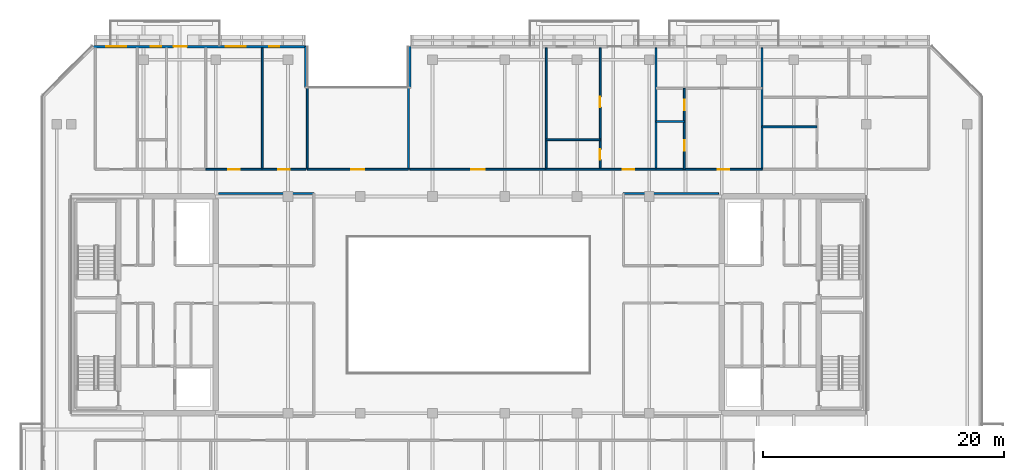
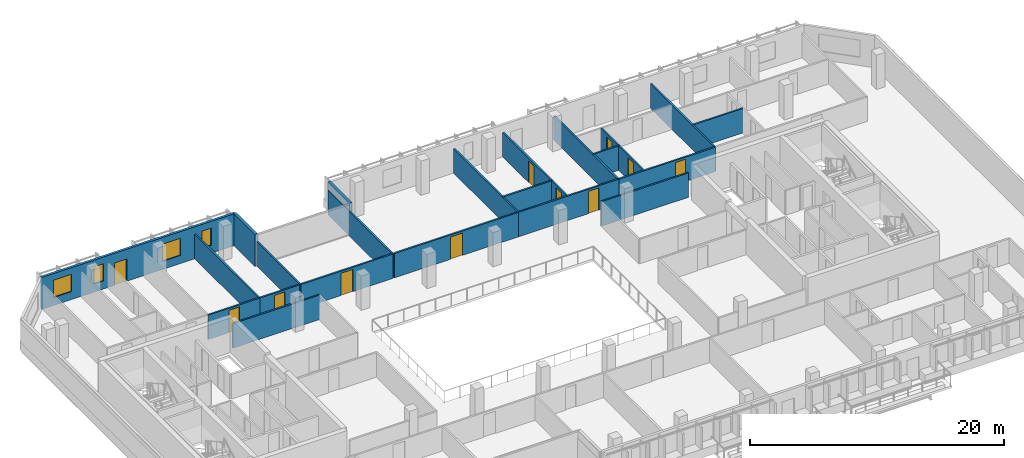
# One storey, part 13 of 22: 22 walls, 11 doors, 4 windows, 15 openings.
"""IFC4 building model written with IfcOpenShell, lengths in metres."""

from ifc_helpers import new_model, si_unit, direction, frame, frame_2d, origin, place, context, subcontext, project, spatial, rectangle, extrude, material, layer, layer_set, type_object, element, fill, save


model = new_model("IFC4")

# Units and contexts
model_context = context("Model", 3, precision=1e-05, world=origin(), true_north=direction((0.0, 1.0)))
body_context = subcontext(model_context, "Body", "Model", "MODEL_VIEW")
ifc_project = project(units=[si_unit("LENGTHUNIT", "METRE"), si_unit("AREAUNIT", "SQUARE_METRE"), si_unit("VOLUMEUNIT", "CUBIC_METRE"), si_unit("PLANEANGLEUNIT", "RADIAN"), si_unit("MASSUNIT", "GRAM", prefix="KILO")], contexts=[model_context])

# Site, building, storey
site_placement = place(None, origin())
site = spatial("IfcSite", under=ifc_project, at=site_placement, CompositionType="ELEMENT")
building_placement = place(site_placement, origin())
building = spatial("IfcBuilding", under=site, at=building_placement, Name="Tanjung Sevakor Pilgrim Tower", CompositionType="ELEMENT")
storey_placement = place(building_placement, frame((0.0, 0.0, 195.030029296875)))
storey = spatial("IfcBuildingStorey", under=building, at=storey_placement, Name="L54", CompositionType="ELEMENT", Elevation=195.030029296875)

# Walls
ifc_material_1 = material(Name="Concrete C40/50", Category="concrete")
ifc_layer_1 = layer(ifc_material_1, 0.14990234375)
ifc_layer_set_1 = layer_set([ifc_layer_1], Name="WT-COMP-150")
wall_type_1 = type_object("IfcWallType", Name="WT-COMP-150", PredefinedType="SOLIDWALL", material=ifc_layer_set_1)
for number, where, z_axis, x_axis, name in (
    (1, (36.2451171875, 42.85009765625, 0.0), (0.0, 0.0, 1.0), (1.0, 0.0, 0.0), "L54 Partition IW-L54-037"),
    (2, (69.85009765625, 42.85009765625, 0.0), (0.0, 0.0, 1.0), (1.0, 0.0, 0.0), "L54 Partition IW-L54-043"),
):
    element("IfcWall", number, at=place(storey_placement, frame(where, z_axis=z_axis, x_axis=x_axis)), inside=storey, type_object=wall_type_1, Name=name, PredefinedType="SOLIDWALL", context=body_context, shape_type="SweptSolid", body=[
        extrude(rectangle(XDim=7.90478515625, YDim=0.14990234375, at=frame_2d((3.952392578125, 0.0))), origin(), (0.0, 0.0, 1.0), 2.35009765625),
    ])

# Wall, opening, door
wall_1_placement = place(storey_placement, frame((43.60009765625, 44.85009765625, 0.0), z_axis=(0.0, 0.0, 1.0), x_axis=(1.0, 0.0, 0.0)))
wall_1 = element("IfcWall", 3, at=wall_1_placement, inside=storey, type_object=wall_type_1, Name="L54 Partition IW-L54-048", PredefinedType="SOLIDWALL", context=body_context, shape_type="SweptSolid", body=[
    extrude(rectangle(XDim=8.39990234375, YDim=0.14990234375, at=frame_2d((4.199951171875, 0.0))), origin(), (0.0, 0.0, 1.0), 2.35009765625),
])
opening_1_placement = place(wall_1_placement, frame((3.64990234375, 0.0, 0.0)))
opening_1 = element("IfcOpeningElement", 4, at=opening_1_placement, cuts=wall_1, Name="Opening ID-RM2", PredefinedType="OPENING", context=body_context, shape_type="SweptSolid", body=[
    extrude(rectangle(XDim=1.10009765625, YDim=2.14990234375, at=frame_2d((0.550048828125, 1.074951171875))), frame((0.0, 0.0849609375, 0.0), z_axis=(0.0, -1.0, 0.0), x_axis=(1.0, 0.0, 0.0)), (0.0, 0.0, 1.0), 0.169921875),
])
ifc_material_2 = material(Name="Hardwood Timber", Category="wood")
door_type_1 = type_object("IfcDoorType", Name="DT-INT-1100", OperationType="NOTDEFINED", PredefinedType="DOOR", material=ifc_material_2)
door_1_placement = place(opening_1_placement, origin())
door_1 = element("IfcDoor", 5, at=door_1_placement, inside=storey, type_object=door_type_1, Name="L54 North Cleft Prayer Room Door", OperationType="SINGLE_SWING_LEFT", OverallHeight=2.14990234375, OverallWidth=1.10009765625, PredefinedType="DOOR", context=body_context, shape_type="SweptSolid", body=[
    extrude(rectangle(XDim=1.10009765625, YDim=2.14990234375, at=frame_2d((0.550048828125, 1.074951171875))), frame((0.0, 0.02490234375, 0.0), z_axis=(0.0, -1.0, 0.0), x_axis=(1.0, 0.0, 0.0)), (0.0, 0.0, 1.0), 0.050048828125),
])
fill(opening_1, door_1)

# Walls
for number, where, z_axis, x_axis, name in (
    (6, (43.60009765625, 44.85009765625, 0.0), (0.0, 0.0, 1.0), (0.0, 1.0, 0.0), "L54 Partition IW-L54-049"),
    (7, (52.0, 44.85009765625, 0.0), (0.0, 0.0, 1.0), (0.0, 1.0, 0.0), "L54 Partition IW-L54-050"),
    (8, (39.861083984375, 44.85009765625, 0.0), (0.0, 0.0, 1.0), (0.0, 1.0, 0.0), "L54 Partition IW-L54-078"),
):
    element("IfcWall", number, at=place(storey_placement, frame(where, z_axis=z_axis, x_axis=x_axis)), inside=storey, type_object=wall_type_1, Name=name, PredefinedType="SOLIDWALL", context=body_context, shape_type="SweptSolid", body=[
        extrude(rectangle(XDim=10.079833984375, YDim=0.14990234375, at=frame_2d((5.0400390625, 0.0))), origin(), (0.0, 0.0, 1.0), 2.35009765625),
    ])

# Wall, opening, door
wall_2_placement = place(storey_placement, frame((35.17626953125, 44.85009765625, 0.0), z_axis=(0.0, 0.0, 1.0), x_axis=(1.0, 0.0, 0.0)))
wall_2 = element("IfcWall", 9, at=wall_2_placement, inside=storey, type_object=wall_type_1, Name="L54 Partition IW-L54-079", PredefinedType="SOLIDWALL", context=body_context, shape_type="SweptSolid", body=[
    extrude(rectangle(XDim=4.684814453125, YDim=0.14990234375, at=frame_2d((2.34228515625, 0.0))), origin(), (0.0, 0.0, 1.0), 2.35009765625),
])
opening_2_placement = place(wall_2_placement, frame((1.867431640625, 0.0, 0.0)))
opening_2 = element("IfcOpeningElement", 10, at=opening_2_placement, cuts=wall_2, Name="Opening ID-FD2", PredefinedType="OPENING", context=body_context, shape_type="SweptSolid", body=[
    extrude(rectangle(XDim=0.949951171875, YDim=2.14990234375, at=frame_2d((0.47509765625, 1.074951171875))), frame((0.0, 0.0849609375, 0.0), z_axis=(0.0, -1.0, 0.0), x_axis=(1.0, 0.0, 0.0)), (0.0, 0.0, 1.0), 0.169921875),
])
ifc_material_3 = material(Name="Fire-Rated Timber", Category="wood")
door_type_2 = type_object("IfcDoorType", Name="DT-FIRE-950", OperationType="NOTDEFINED", PredefinedType="DOOR", material=ifc_material_3)
door_2_placement = place(opening_2_placement, origin())
door_2 = element("IfcDoor", 11, at=door_2_placement, inside=storey, type_object=door_type_2, Name="Study Room Entrance", OperationType="SINGLE_SWING_LEFT", OverallHeight=2.14990234375, OverallWidth=0.949951171875, PredefinedType="DOOR", context=body_context, shape_type="SweptSolid", body=[
    extrude(rectangle(XDim=0.949951171875, YDim=2.14990234375, at=frame_2d((0.47509765625, 1.074951171875))), frame((0.0, 0.02490234375, 0.0), z_axis=(0.0, -1.0, 0.0), x_axis=(1.0, 0.0, 0.0)), (0.0, 0.0, 1.0), 0.050048828125),
])
fill(opening_2, door_2)

wall_3_placement = place(storey_placement, frame((39.861083984375, 44.85009765625, 0.0), z_axis=(0.0, 0.0, 1.0), x_axis=(1.0, 0.0, 0.0)))
wall_3 = element("IfcWall", 12, at=wall_3_placement, inside=storey, type_object=wall_type_1, Name="L54 Partition IW-L54-080", PredefinedType="SOLIDWALL", context=body_context, shape_type="SweptSolid", body=[
    extrude(rectangle(XDim=3.618896484375, YDim=0.14990234375, at=frame_2d((1.8095703125, 0.0))), origin(), (0.0, 0.0, 1.0), 2.35009765625),
])
opening_3_placement = place(wall_3_placement, frame((1.33447265625, 0.0, 0.0)))
opening_3 = element("IfcOpeningElement", 13, at=opening_3_placement, cuts=wall_3, Name="Opening ID-FD2", PredefinedType="OPENING", context=body_context, shape_type="SweptSolid", body=[
    extrude(rectangle(XDim=0.949951171875, YDim=2.14990234375, at=frame_2d((0.47509765625, 1.074951171875))), frame((0.0, 0.0849609375, 0.0), z_axis=(0.0, -1.0, 0.0), x_axis=(1.0, 0.0, 0.0)), (0.0, 0.0, 1.0), 0.169921875),
])
door_3_placement = place(opening_3_placement, origin())
door_3 = element("IfcDoor", 14, at=door_3_placement, inside=storey, type_object=door_type_2, Name="Study Room Entrance", OperationType="SINGLE_SWING_RIGHT", OverallHeight=2.14990234375, OverallWidth=0.949951171875, PredefinedType="DOOR", context=body_context, shape_type="SweptSolid", body=[
    extrude(rectangle(XDim=0.949951171875, YDim=2.14990234375, at=frame_2d((0.47509765625, 1.074951171875))), frame((0.0, 0.02490234375, 0.0), z_axis=(0.0, -1.0, 0.0), x_axis=(1.0, 0.0, 0.0)), (0.0, 0.0, 1.0), 0.050048828125),
])
fill(opening_3, door_3)

# Wall
wall_4_placement = place(storey_placement, frame((63.440185546875, 44.85009765625, 0.0), z_axis=(0.0, 0.0, 1.0), x_axis=(0.0, 1.0, 0.0)))
element("IfcWall", 15, at=wall_4_placement, inside=storey, type_object=wall_type_1, Name="L54 Partition IW-L54-082", PredefinedType="SOLIDWALL", context=body_context, shape_type="SweptSolid", body=[
    extrude(rectangle(XDim=10.079833984375, YDim=0.14990234375, at=frame_2d((5.0400390625, 0.0))), origin(), (0.0, 0.0, 1.0), 2.35009765625),
])

# Wall, opening, door
wall_5_placement = place(storey_placement, frame((52.1201171875, 44.85009765625, 0.0), z_axis=(0.0, 0.0, 1.0), x_axis=(1.0, 0.0, 0.0)))
wall_5 = element("IfcWall", 16, at=wall_5_placement, inside=storey, type_object=wall_type_1, Name="L54 Partition IW-L54-083", PredefinedType="SOLIDWALL", context=body_context, shape_type="SweptSolid", body=[
    extrude(rectangle(XDim=11.320068359375, YDim=0.14990234375, at=frame_2d((5.66015625, 0.0))), origin(), (0.0, 0.0, 1.0), 2.35009765625),
])
opening_4_placement = place(wall_5_placement, frame((5.110107421875, 0.0, 0.0)))
opening_4 = element("IfcOpeningElement", 17, at=opening_4_placement, cuts=wall_5, Name="Opening ID-FD0", PredefinedType="OPENING", context=body_context, shape_type="SweptSolid", body=[
    extrude(rectangle(XDim=1.10009765625, YDim=2.14990234375, at=frame_2d((0.550048828125, 1.074951171875))), frame((0.0, 0.0849609375, 0.0), z_axis=(0.0, -1.0, 0.0), x_axis=(1.0, 0.0, 0.0)), (0.0, 0.0, 1.0), 0.169921875),
])
ifc_material_4 = material(Name="Fire-Rated Steel S355J2", Category="steel")
door_type_3 = type_object("IfcDoorType", Name="DT-FIRE-1100", OperationType="NOTDEFINED", PredefinedType="DOOR", material=ifc_material_4)
door_4_placement = place(opening_4_placement, origin())
door_4 = element("IfcDoor", 18, at=door_4_placement, inside=storey, type_object=door_type_3, Name="Council Room Door", OperationType="SINGLE_SWING_LEFT", OverallHeight=2.14990234375, OverallWidth=1.10009765625, PredefinedType="DOOR", context=body_context, shape_type="SweptSolid", body=[
    extrude(rectangle(XDim=1.10009765625, YDim=2.14990234375, at=frame_2d((0.550048828125, 1.074951171875))), frame((0.0, 0.02490234375, 0.0), z_axis=(0.0, -1.0, 0.0), x_axis=(1.0, 0.0, 0.0)), (0.0, 0.0, 1.0), 0.050048828125),
])
fill(opening_4, door_4)

# Wall
wall_6_placement = place(storey_placement, frame((72.559326171875, 44.85009765625, 0.0), z_axis=(0.0, 0.0, 1.0), x_axis=(0.0, 1.0, 0.0)))
element("IfcWall", 19, at=wall_6_placement, inside=storey, type_object=wall_type_1, Name="L54 Partition IW-L54-084", PredefinedType="SOLIDWALL", context=body_context, shape_type="SweptSolid", body=[
    extrude(rectangle(XDim=10.079833984375, YDim=0.14990234375, at=frame_2d((5.0400390625, 0.0))), origin(), (0.0, 0.0, 1.0), 2.35009765625),
])

# Wall, opening, door
wall_7_placement = place(storey_placement, frame((63.440185546875, 44.85009765625, 0.0), z_axis=(0.0, 0.0, 1.0), x_axis=(1.0, 0.0, 0.0)))
wall_7 = element("IfcWall", 20, at=wall_7_placement, inside=storey, type_object=wall_type_1, Name="L54 Partition IW-L54-087", PredefinedType="SOLIDWALL", context=body_context, shape_type="SweptSolid", body=[
    extrude(rectangle(XDim=9.119140625, YDim=0.14990234375, at=frame_2d((4.5595703125, 0.0))), origin(), (0.0, 0.0, 1.0), 2.35009765625),
])
opening_5_placement = place(wall_7_placement, frame((6.364501953125, 0.0, 0.0)))
opening_5 = element("IfcOpeningElement", 21, at=opening_5_placement, cuts=wall_7, Name="Opening ID-FD2", PredefinedType="OPENING", context=body_context, shape_type="SweptSolid", body=[
    extrude(rectangle(XDim=0.949951171875, YDim=2.14990234375, at=frame_2d((0.47509765625, 1.074951171875))), frame((0.0, 0.0849609375, 0.0), z_axis=(0.0, -1.0, 0.0), x_axis=(1.0, 0.0, 0.0)), (0.0, 0.0, 1.0), 0.169921875),
])
door_5_placement = place(opening_5_placement, origin())
door_5 = element("IfcDoor", 22, at=door_5_placement, inside=storey, type_object=door_type_2, Name="Hostel Quad Entrance", OperationType="SINGLE_SWING_RIGHT", OverallHeight=2.14990234375, OverallWidth=0.949951171875, PredefinedType="DOOR", context=body_context, shape_type="SweptSolid", body=[
    extrude(rectangle(XDim=0.949951171875, YDim=2.14990234375, at=frame_2d((0.47509765625, 1.074951171875))), frame((0.0, 0.02490234375, 0.0), z_axis=(0.0, -1.0, 0.0), x_axis=(1.0, 0.0, 0.0)), (0.0, 0.0, 1.0), 0.050048828125),
])
fill(opening_5, door_5)

# Wall
wall_8_placement = place(storey_placement, frame((81.364013671875, 44.85009765625, 0.0), z_axis=(0.0, 0.0, 1.0), x_axis=(0.0, 1.0, 0.0)))
element("IfcWall", 23, at=wall_8_placement, inside=storey, type_object=wall_type_1, Name="L54 Partition IW-L54-088", PredefinedType="SOLIDWALL", context=body_context, shape_type="SweptSolid", body=[
    extrude(rectangle(XDim=10.079833984375, YDim=0.14990234375, at=frame_2d((5.0400390625, 0.0))), origin(), (0.0, 0.0, 1.0), 2.35009765625),
])

# Wall, opening, door
wall_9_placement = place(storey_placement, frame((72.559326171875, 44.85009765625, 0.0), z_axis=(0.0, 0.0, 1.0), x_axis=(1.0, 0.0, 0.0)))
wall_9 = element("IfcWall", 24, at=wall_9_placement, inside=storey, type_object=wall_type_1, Name="L54 Partition IW-L54-092", PredefinedType="SOLIDWALL", context=body_context, shape_type="SweptSolid", body=[
    extrude(rectangle(XDim=8.8046875, YDim=0.14990234375, at=frame_2d((4.40234375, 0.0))), origin(), (0.0, 0.0, 1.0), 2.35009765625),
])
opening_6_placement = place(wall_9_placement, frame((5.142333984375, 0.0, 0.0)))
opening_6 = element("IfcOpeningElement", 25, at=opening_6_placement, cuts=wall_9, Name="Opening ID-FD2", PredefinedType="OPENING", context=body_context, shape_type="SweptSolid", body=[
    extrude(rectangle(XDim=0.949951171875, YDim=2.14990234375, at=frame_2d((0.47509765625, 1.074951171875))), frame((0.0, 0.0849609375, 0.0), z_axis=(0.0, -1.0, 0.0), x_axis=(1.0, 0.0, 0.0)), (0.0, 0.0, 1.0), 0.169921875),
])
door_6_placement = place(opening_6_placement, origin())
door_6 = element("IfcDoor", 26, at=door_6_placement, inside=storey, type_object=door_type_2, Name="Residence Entrance", OperationType="SINGLE_SWING_RIGHT", OverallHeight=2.14990234375, OverallWidth=0.949951171875, PredefinedType="DOOR", context=body_context, shape_type="SweptSolid", body=[
    extrude(rectangle(XDim=0.949951171875, YDim=2.14990234375, at=frame_2d((0.47509765625, 1.074951171875))), frame((0.0, 0.02490234375, 0.0), z_axis=(0.0, -1.0, 0.0), x_axis=(1.0, 0.0, 0.0)), (0.0, 0.0, 1.0), 0.050048828125),
])
fill(opening_6, door_6)

# Walls
ifc_material_5 = material(Name="Precast concrete C45/55", Category="concrete")
ifc_layer_2 = layer(ifc_material_5, 0.219970703125)
ifc_layer_set_2 = layer_set([ifc_layer_2], Name="WT-EW-STN4")
wall_type_2 = type_object("IfcWallType", Name="WT-EW-STN4", PredefinedType="SOLIDWALL", material=ifc_layer_set_2)
for number, where, z_axis, x_axis, name in (
    (27, (52.110107421875, 55.0400390625, 0.0), (0.0, 0.0, 1.0), (0.0, -1.0, 0.0), "L54 MAIN Exterior Wall 10"),
    (28, (43.489990234375, 51.639892578125, 0.0), (0.0, 0.0, 1.0), (0.0, 1.0, 0.0), "L54 MAIN Exterior Wall 12"),
):
    element("IfcWall", number, at=place(storey_placement, frame(where, z_axis=z_axis, x_axis=x_axis)), inside=storey, type_object=wall_type_2, Name=name, PredefinedType="SOLIDWALL", context=body_context, shape_type="SweptSolid", body=[
        extrude(rectangle(XDim=3.400146484375, YDim=0.219970703125, at=frame_2d((1.7001953125, 0.0))), origin(), (0.0, 0.0, 1.0), 3.080078125),
    ])

# Wall, openings, door, windows
wall_10_placement = place(storey_placement, frame((43.489990234375, 55.0400390625, 0.0), z_axis=(0.0, 0.0, 1.0), x_axis=(-1.0, 0.0, 0.0)))
wall_10 = element("IfcWall", 29, at=wall_10_placement, inside=storey, type_object=wall_type_2, Name="L54 MAIN Exterior Wall 13", PredefinedType="SOLIDWALL", context=body_context, shape_type="SweptSolid", body=[
    extrude(rectangle(XDim=17.644287109375, YDim=0.219970703125, at=frame_2d((8.822265625, 0.0))), origin(), (0.0, 0.0, 1.0), 3.080078125),
])
opening_7_placement = place(wall_10_placement, frame((9.889892578125, 0.0, 0.0)))
opening_7 = element("IfcOpeningElement", 30, at=opening_7_placement, cuts=wall_10, Name="Opening ED-BAL-1100", PredefinedType="OPENING", context=body_context, shape_type="SweptSolid", body=[
    extrude(rectangle(XDim=1.10009765625, YDim=2.14990234375, at=frame_2d((0.550048828125, 1.074951171875))), frame((0.0, 0.119873046875, 0.0), z_axis=(0.0, -1.0, 0.0), x_axis=(1.0, 0.0, 0.0)), (0.0, 0.0, 1.0), 0.239990234375),
])
opening_8_placement = place(wall_10_placement, frame((14.92041015625, 0.0, 0.780029296875)))
opening_8 = element("IfcOpeningElement", 31, at=opening_8_placement, cuts=wall_10, Name="Opening WN-Z4-1660", PredefinedType="OPENING", context=body_context, shape_type="SweptSolid", body=[
    extrude(rectangle(XDim=1.64990234375, YDim=1.659912109375, at=frame_2d((0.824951171875, 0.830078125))), frame((0.0, 0.119873046875, 0.0), z_axis=(0.0, -1.0, 0.0), x_axis=(1.0, 0.0, 0.0)), (0.0, 0.0, 1.0), 0.239990234375),
])
opening_9_placement = place(wall_10_placement, frame((12.0302734375, 0.0, 0.780029296875)))
opening_9 = element("IfcOpeningElement", 32, at=opening_9_placement, cuts=wall_10, Name="Opening WN-SLM", PredefinedType="OPENING", context=body_context, shape_type="SweptSolid", body=[
    extrude(rectangle(XDim=0.85009765625, YDim=1.64990234375, at=frame_2d((0.425048828125, 0.824951171875))), frame((0.0, 0.119873046875, 0.0), z_axis=(0.0, -1.0, 0.0), x_axis=(1.0, 0.0, 0.0)), (0.0, 0.0, 1.0), 0.239990234375),
])
opening_10_placement = place(wall_10_placement, frame((4.986328125, 0.0, 0.780029296875)))
opening_10 = element("IfcOpeningElement", 33, at=opening_10_placement, cuts=wall_10, Name="Opening WN-Z4-1660", PredefinedType="OPENING", context=body_context, shape_type="SweptSolid", body=[
    extrude(rectangle(XDim=1.64990234375, YDim=1.659912109375, at=frame_2d((0.824951171875, 0.830078125))), frame((0.0, 0.119873046875, 0.0), z_axis=(0.0, -1.0, 0.0), x_axis=(1.0, 0.0, 0.0)), (0.0, 0.0, 1.0), 0.239990234375),
])
opening_11_placement = place(wall_10_placement, frame((2.1943359375, 0.0, 0.780029296875)))
opening_11 = element("IfcOpeningElement", 34, at=opening_11_placement, cuts=wall_10, Name="Opening WN-SLM", PredefinedType="OPENING", context=body_context, shape_type="SweptSolid", body=[
    extrude(rectangle(XDim=0.85009765625, YDim=1.64990234375, at=frame_2d((0.425048828125, 0.824951171875))), frame((0.0, 0.119873046875, 0.0), z_axis=(0.0, -1.0, 0.0), x_axis=(1.0, 0.0, 0.0)), (0.0, 0.0, 1.0), 0.239990234375),
])
ifc_material_6 = material(Name="Anodised Aluminium and Laminated Glass", Category="aluminium")
door_type_4 = type_object("IfcDoorType", Name="DTYP-ED-BAL-1100", OperationType="NOTDEFINED", PredefinedType="DOOR", material=ifc_material_6)
door_7_placement = place(opening_7_placement, frame((1.10009765625, 0.0, 0.0), z_axis=(0.0, 0.0, 1.0), x_axis=(-1.0, 0.0, 0.0)))
door_7 = element("IfcDoor", 35, at=door_7_placement, inside=storey, type_object=door_type_4, Name="L54 Balcony Door MAIN-N1", OperationType="SINGLE_SWING_LEFT", OverallHeight=2.14990234375, OverallWidth=1.10009765625, PredefinedType="DOOR", context=body_context, shape_type="SweptSolid", body=[
    extrude(rectangle(XDim=1.10009765625, YDim=2.14990234375, at=frame_2d((0.550048828125, 1.074951171875))), frame((0.0, 0.02490234375, 0.0), z_axis=(0.0, -1.0, 0.0), x_axis=(1.0, 0.0, 0.0)), (0.0, 0.0, 1.0), 0.050048828125),
])
fill(opening_7, door_7)
ifc_material_7 = material(Name="Thermally Broken Aluminium and Low-E Glass", Category="aluminium")
window_type_1 = type_object("IfcWindowType", Name="WTYP-WN-SLM", PartitioningType="SINGLE_PANEL", PredefinedType="WINDOW", material=ifc_material_7)
window_1_placement = place(opening_9_placement, origin())
window_1 = element("IfcWindow", 36, at=window_1_placement, inside=storey, type_object=window_type_1, Name="L54 Facade Window 02", OverallHeight=1.64990234375, OverallWidth=0.85009765625, PartitioningType="SINGLE_PANEL", PredefinedType="WINDOW", context=body_context, shape_type="SweptSolid", body=[
    extrude(rectangle(XDim=0.85009765625, YDim=1.64990234375, at=frame_2d((0.425048828125, 0.824951171875))), frame((0.0, 0.030029296875, 0.0), z_axis=(0.0, -1.0, 0.0), x_axis=(1.0, 0.0, 0.0)), (0.0, 0.0, 1.0), 0.06005859375),
])
fill(opening_9, window_1)
window_2_placement = place(opening_11_placement, origin())
window_2 = element("IfcWindow", 37, at=window_2_placement, inside=storey, type_object=window_type_1, Name="L54 Facade Window 04", OverallHeight=1.64990234375, OverallWidth=0.85009765625, PartitioningType="SINGLE_PANEL", PredefinedType="WINDOW", context=body_context, shape_type="SweptSolid", body=[
    extrude(rectangle(XDim=0.85009765625, YDim=1.64990234375, at=frame_2d((0.425048828125, 0.824951171875))), frame((0.0, 0.030029296875, 0.0), z_axis=(0.0, -1.0, 0.0), x_axis=(1.0, 0.0, 0.0)), (0.0, 0.0, 1.0), 0.06005859375),
])
fill(opening_11, window_2)
ifc_material_8 = material(Name="Thermally Broken Aluminium and Low-E Glass", Category="aluminium")
window_type_2 = type_object("IfcWindowType", Name="WTYP-WN-Z4-1660", PartitioningType="DOUBLE_PANEL_VERTICAL", PredefinedType="WINDOW", material=ifc_material_8)
window_3_placement = place(opening_8_placement, origin())
window_3 = element("IfcWindow", 38, at=window_3_placement, inside=storey, type_object=window_type_2, Name="L54 Facade Window 01", OverallHeight=1.659912109375, OverallWidth=1.64990234375, PartitioningType="SINGLE_PANEL", PredefinedType="WINDOW", context=body_context, shape_type="SweptSolid", body=[
    extrude(rectangle(XDim=1.64990234375, YDim=1.659912109375, at=frame_2d((0.824951171875, 0.830078125))), frame((0.0, 0.030029296875, 0.0), z_axis=(0.0, -1.0, 0.0), x_axis=(1.0, 0.0, 0.0)), (0.0, 0.0, 1.0), 0.06005859375),
])
fill(opening_8, window_3)
window_4_placement = place(opening_10_placement, origin())
window_4 = element("IfcWindow", 39, at=window_4_placement, inside=storey, type_object=window_type_2, Name="L54 Facade Window 03", OverallHeight=1.659912109375, OverallWidth=1.64990234375, PartitioningType="SINGLE_PANEL", PredefinedType="WINDOW", context=body_context, shape_type="SweptSolid", body=[
    extrude(rectangle(XDim=1.64990234375, YDim=1.659912109375, at=frame_2d((0.824951171875, 0.830078125))), frame((0.0, 0.030029296875, 0.0), z_axis=(0.0, -1.0, 0.0), x_axis=(1.0, 0.0, 0.0)), (0.0, 0.0, 1.0), 0.06005859375),
])
fill(opening_10, window_4)

# Wall
ifc_material_9 = material(Name="Gypsum Board Partition", Category="gypsum board")
ifc_layer_3 = layer(ifc_material_9, 0.14990234375)
ifc_layer_set_3 = layer_set([ifc_layer_3], Name="WT-PART-150")
wall_type_3 = type_object("IfcWallType", Name="WT-PART-150", PredefinedType="PARTITIONING", material=ifc_layer_set_3)
wall_11_placement = place(storey_placement, frame((63.440185546875, 47.300048828125, 0.0), z_axis=(0.0, 0.0, 1.0), x_axis=(1.0, 0.0, 0.0)))
element("IfcWall", 40, at=wall_11_placement, inside=storey, type_object=wall_type_3, Name="L54 Partition IW-L54-085", PredefinedType="PARTITIONING", context=body_context, shape_type="SweptSolid", body=[
    extrude(rectangle(XDim=4.479736328125, YDim=0.14990234375, at=frame_2d((2.23974609375, 0.0))), origin(), (0.0, 0.0, 1.0), 2.35009765625),
])

# Wall, openings, doors
wall_12_placement = place(storey_placement, frame((67.919921875, 44.85009765625, 0.0), z_axis=(0.0, 0.0, 1.0), x_axis=(0.0, 1.0, 0.0)))
wall_12 = element("IfcWall", 41, at=wall_12_placement, inside=storey, type_object=wall_type_3, Name="L54 Partition IW-L54-086", PredefinedType="PARTITIONING", context=body_context, shape_type="SweptSolid", body=[
    extrude(rectangle(XDim=10.079833984375, YDim=0.14990234375, at=frame_2d((5.0400390625, 0.0))), origin(), (0.0, 0.0, 1.0), 2.35009765625),
])
opening_12_placement = place(wall_12_placement, frame((0.800048828125, 0.0, 0.0)))
opening_12 = element("IfcOpeningElement", 42, at=opening_12_placement, cuts=wall_12, Name="Opening ID-WC1", PredefinedType="OPENING", context=body_context, shape_type="SweptSolid", body=[
    extrude(rectangle(XDim=0.85009765625, YDim=2.10009765625, at=frame_2d((0.425048828125, 1.050048828125))), frame((0.0, 0.0849609375, 0.0), z_axis=(0.0, -1.0, 0.0), x_axis=(1.0, 0.0, 0.0)), (0.0, 0.0, 1.0), 0.169921875),
])
opening_13_placement = place(wall_12_placement, frame((5.162109375, 0.0, 0.0)))
opening_13 = element("IfcOpeningElement", 43, at=opening_13_placement, cuts=wall_12, Name="Opening ID-WC1", PredefinedType="OPENING", context=body_context, shape_type="SweptSolid", body=[
    extrude(rectangle(XDim=0.85009765625, YDim=2.10009765625, at=frame_2d((0.425048828125, 1.050048828125))), frame((0.0, 0.0849609375, 0.0), z_axis=(0.0, -1.0, 0.0), x_axis=(1.0, 0.0, 0.0)), (0.0, 0.0, 1.0), 0.169921875),
])
ifc_material_10 = material(Name="Moisture-Resistant Timber", Category="wood")
door_type_5 = type_object("IfcDoorType", Name="DT-INT-850", OperationType="NOTDEFINED", PredefinedType="DOOR", material=ifc_material_10)
door_8_placement = place(opening_12_placement, origin())
door_8 = element("IfcDoor", 44, at=door_8_placement, inside=storey, type_object=door_type_5, Name="Bathroom Door", OperationType="SINGLE_SWING_RIGHT", OverallHeight=2.10009765625, OverallWidth=0.85009765625, PredefinedType="DOOR", context=body_context, shape_type="SweptSolid", body=[
    extrude(rectangle(XDim=0.85009765625, YDim=2.10009765625, at=frame_2d((0.425048828125, 1.050048828125))), frame((0.0, 0.02490234375, 0.0), z_axis=(0.0, -1.0, 0.0), x_axis=(1.0, 0.0, 0.0)), (0.0, 0.0, 1.0), 0.050048828125),
])
fill(opening_12, door_8)
door_9_placement = place(opening_13_placement, origin())
door_9 = element("IfcDoor", 45, at=door_9_placement, inside=storey, type_object=door_type_5, Name="Study Nook Door", OperationType="SINGLE_SWING_LEFT", OverallHeight=2.10009765625, OverallWidth=0.85009765625, PredefinedType="DOOR", context=body_context, shape_type="SweptSolid", body=[
    extrude(rectangle(XDim=0.85009765625, YDim=2.10009765625, at=frame_2d((0.425048828125, 1.050048828125))), frame((0.0, 0.02490234375, 0.0), z_axis=(0.0, -1.0, 0.0), x_axis=(1.0, 0.0, 0.0)), (0.0, 0.0, 1.0), 0.050048828125),
])
fill(opening_13, door_9)

# Wall
wall_13_placement = place(storey_placement, frame((72.559326171875, 48.8203125, 0.0), z_axis=(0.0, 0.0, 1.0), x_axis=(1.0, 0.0, 0.0)))
element("IfcWall", 46, at=wall_13_placement, inside=storey, type_object=wall_type_3, Name="L54 Partition IW-L54-089", PredefinedType="PARTITIONING", context=body_context, shape_type="SweptSolid", body=[
    extrude(rectangle(XDim=2.35009765625, YDim=0.14990234375, at=frame_2d((1.175048828125, 0.0))), origin(), (0.0, 0.0, 1.0), 2.35009765625),
])

# Wall, openings, doors
wall_14_placement = place(storey_placement, frame((74.909423828125, 44.85009765625, 0.0), z_axis=(0.0, 0.0, 1.0), x_axis=(0.0, 1.0, 0.0)))
wall_14 = element("IfcWall", 47, at=wall_14_placement, inside=storey, type_object=wall_type_3, Name="L54 Partition IW-L54-090", PredefinedType="PARTITIONING", context=body_context, shape_type="SweptSolid", body=[
    extrude(rectangle(XDim=6.7294921875, YDim=0.14990234375, at=frame_2d((3.36474609375, 0.0))), origin(), (0.0, 0.0, 1.0), 2.35009765625),
])
opening_14_placement = place(wall_14_placement, frame((1.560302734375, 0.0, 0.0)))
opening_14 = element("IfcOpeningElement", 48, at=opening_14_placement, cuts=wall_14, Name="Opening ID-WC1", PredefinedType="OPENING", context=body_context, shape_type="SweptSolid", body=[
    extrude(rectangle(XDim=0.85009765625, YDim=2.10009765625, at=frame_2d((0.425048828125, 1.050048828125))), frame((0.0, 0.0849609375, 0.0), z_axis=(0.0, -1.0, 0.0), x_axis=(1.0, 0.0, 0.0)), (0.0, 0.0, 1.0), 0.169921875),
])
opening_15_placement = place(wall_14_placement, frame((4.9248046875, 0.0, 0.0)))
opening_15 = element("IfcOpeningElement", 49, at=opening_15_placement, cuts=wall_14, Name="Opening ID-WC1", PredefinedType="OPENING", context=body_context, shape_type="SweptSolid", body=[
    extrude(rectangle(XDim=0.85009765625, YDim=2.10009765625, at=frame_2d((0.425048828125, 1.050048828125))), frame((0.0, 0.0849609375, 0.0), z_axis=(0.0, -1.0, 0.0), x_axis=(1.0, 0.0, 0.0)), (0.0, 0.0, 1.0), 0.169921875),
])
door_10_placement = place(opening_14_placement, origin())
door_10 = element("IfcDoor", 50, at=door_10_placement, inside=storey, type_object=door_type_5, Name="Residence Kitchenette Door", OperationType="SINGLE_SWING_LEFT", OverallHeight=2.10009765625, OverallWidth=0.85009765625, PredefinedType="DOOR", context=body_context, shape_type="SweptSolid", body=[
    extrude(rectangle(XDim=0.85009765625, YDim=2.10009765625, at=frame_2d((0.425048828125, 1.050048828125))), frame((0.0, 0.02490234375, 0.0), z_axis=(0.0, -1.0, 0.0), x_axis=(1.0, 0.0, 0.0)), (0.0, 0.0, 1.0), 0.050048828125),
])
fill(opening_14, door_10)
door_11_placement = place(opening_15_placement, origin())
door_11 = element("IfcDoor", 51, at=door_11_placement, inside=storey, type_object=door_type_5, Name="Residence Bathroom Door", OperationType="SINGLE_SWING_RIGHT", OverallHeight=2.10009765625, OverallWidth=0.85009765625, PredefinedType="DOOR", context=body_context, shape_type="SweptSolid", body=[
    extrude(rectangle(XDim=0.85009765625, YDim=2.10009765625, at=frame_2d((0.425048828125, 1.050048828125))), frame((0.0, 0.02490234375, 0.0), z_axis=(0.0, -1.0, 0.0), x_axis=(1.0, 0.0, 0.0)), (0.0, 0.0, 1.0), 0.050048828125),
])
fill(opening_15, door_11)

# Wall
wall_15_placement = place(storey_placement, frame((81.364013671875, 48.378173828125, 0.0), z_axis=(0.0, 0.0, 1.0), x_axis=(1.0, 0.0, 0.0)))
element("IfcWall", 52, at=wall_15_placement, inside=storey, type_object=wall_type_3, Name="L54 Partition IW-L54-093", PredefinedType="PARTITIONING", context=body_context, shape_type="SweptSolid", body=[
    extrude(rectangle(XDim=4.555908203125, YDim=0.14990234375, at=frame_2d((2.27783203125, 0.0))), origin(), (0.0, 0.0, 1.0), 2.35009765625),
])

save(model, "model.ifc")
